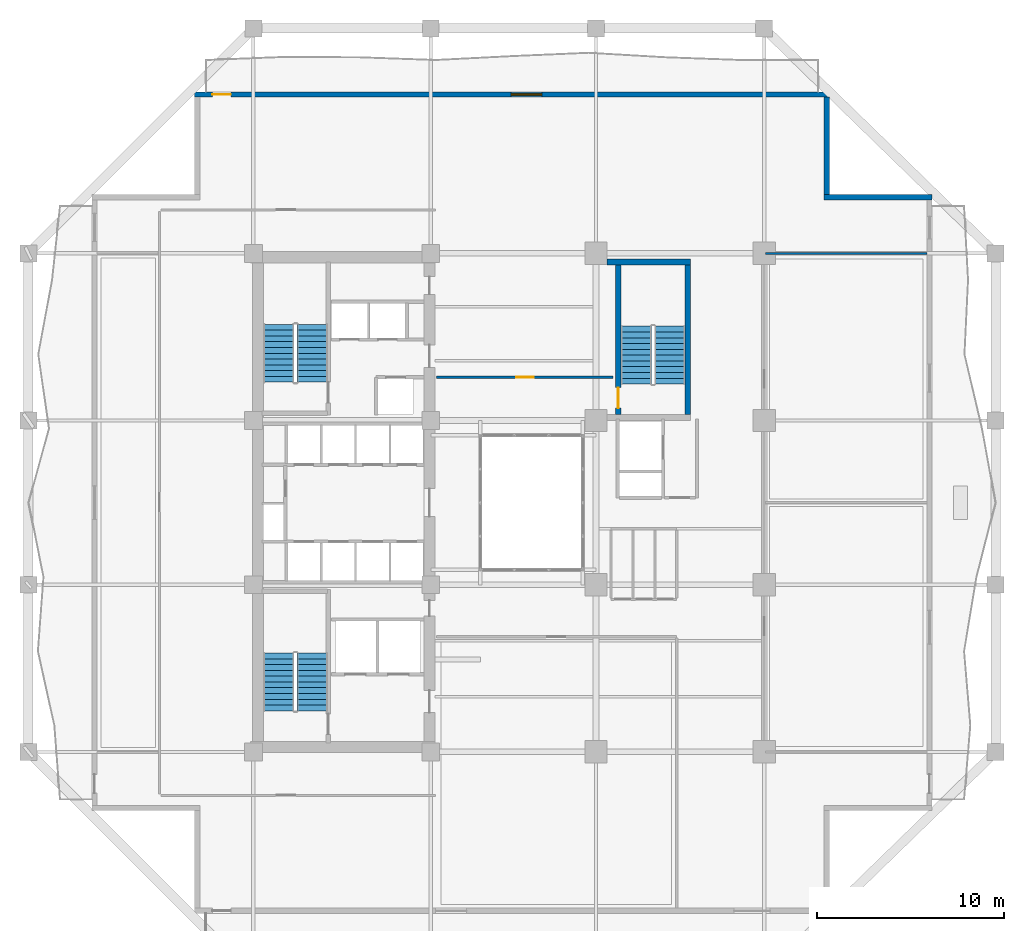
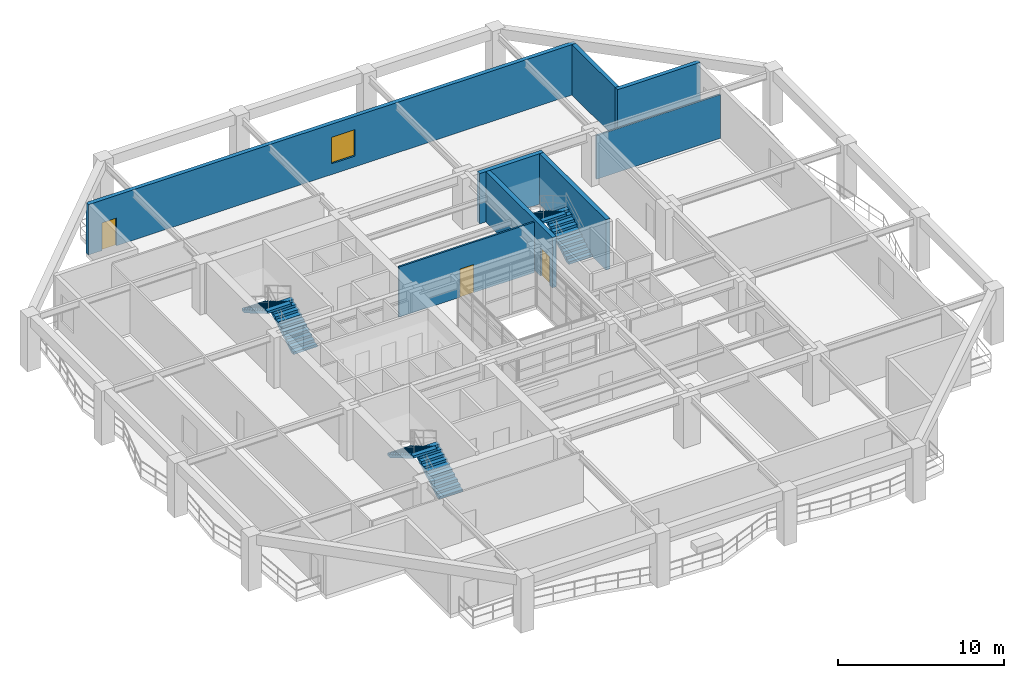
# One storey, part 9 of 17: 8 walls, 6 stair flights, 3 doors, 1 window, 4 openings, 3 elements without a shape of their own.
"""IFC4 building model written with IfcOpenShell, lengths in metres."""

from ifc_helpers import new_model, si_unit, direction, frame, frame_2d, origin, place, context, subcontext, project, spatial, polyline, rectangle, outline, extrude, material, layer, layer_set, type_object, element, fill, aggregate, save


model = new_model("IFC4")

# Units and contexts
model_context = context("Model", 3, precision=1e-05, world=origin(), true_north=direction((0.0, 1.0)))
body_context = subcontext(model_context, "Body", "Model", "MODEL_VIEW")
ifc_project = project(units=[si_unit("LENGTHUNIT", "METRE"), si_unit("AREAUNIT", "SQUARE_METRE"), si_unit("VOLUMEUNIT", "CUBIC_METRE"), si_unit("PLANEANGLEUNIT", "RADIAN"), si_unit("MASSUNIT", "GRAM", prefix="KILO")], contexts=[model_context])

# Site, building, storey
site_placement = place(None, origin())
site = spatial("IfcSite", under=ifc_project, at=site_placement, CompositionType="ELEMENT")
building_placement = place(site_placement, origin())
building = spatial("IfcBuilding", under=site, at=building_placement, Name="Kundavana Baori Tower", CompositionType="ELEMENT")
storey_placement = place(building_placement, frame((0.0, 0.0, 30.0)))
storey = spatial("IfcBuildingStorey", under=building, at=storey_placement, Name="L06", CompositionType="ELEMENT", Elevation=30.0)

# Walls
ifc_material_1 = material(Name="Red-Buff Dholpur Sandstone Cladding on Concrete C40/50", Category="masonry")
ifc_layer_1 = layer(ifc_material_1, 0.280029296875, Name="WL-EXT-SAND-280")
ifc_layer_set_1 = layer_set([ifc_layer_1], Name="Red-Buff Dholpur Sandstone Cladding on Concrete C40/50")
wall_type_1 = type_object("IfcWallType", Name="WL-EXT-SAND-280", PredefinedType="STANDARD", material=ifc_layer_set_1)
wall_1_placement = place(storey_placement, frame((51.800048828125, 44.9599609375, 0.0), z_axis=(0.0, 0.0, 1.0), x_axis=(-1.0, 0.0, 0.0)))
element("IfcWall", 1, at=wall_1_placement, inside=storey, type_object=wall_type_1, Name="L06 Exterior Insulated Facade Wall 05", PredefinedType="STANDARD", context=body_context, shape_type="SweptSolid", body=[
    extrude(rectangle(XDim=5.780029296875, YDim=0.280029296875, at=frame_2d((2.89013671875, 0.0))), origin(), (0.0, 0.0, 1.0), 3.719970703125),
])
wall_2_placement = place(storey_placement, frame((46.159912109375, 45.10009765625, 0.0), z_axis=(0.0, 0.0, 1.0), x_axis=(0.0, 1.0, 0.0)))
element("IfcWall", 2, at=wall_2_placement, inside=storey, type_object=wall_type_1, Name="L06 Exterior Insulated Facade Wall 06", PredefinedType="STANDARD", context=body_context, shape_type="SweptSolid", body=[
    extrude(rectangle(XDim=5.219970703125, YDim=0.280029296875, at=frame_2d((2.60986328125, 0.0))), origin(), (0.0, 0.0, 1.0), 3.719970703125),
])

# Wall, openings, door, window
wall_3_placement = place(storey_placement, frame((46.300048828125, 50.4599609375, 0.0), z_axis=(0.0, 0.0, 1.0), x_axis=(-1.0, 0.0, 0.0)))
wall_3 = element("IfcWall", 3, at=wall_3_placement, inside=storey, type_object=wall_type_1, Name="L06 Exterior Insulated Facade Wall 07", PredefinedType="STANDARD", context=body_context, shape_type="SweptSolid", body=[
    extrude(rectangle(XDim=34.0, YDim=0.280029296875, at=frame_2d((17.0, 0.0))), origin(), (0.0, 0.0, 1.0), 3.719970703125),
])
opening_1_placement = place(wall_3_placement, frame((32.050048828125, 0.0, 0.0)))
opening_1 = element("IfcOpeningElement", 4, at=opening_1_placement, cuts=wall_3, Name="Opening BD-1", PredefinedType="OPENING", context=body_context, shape_type="SweptSolid", body=[
    extrude(rectangle(XDim=1.0, YDim=2.050048828125, at=frame_2d((0.5, 1.02490234375))), frame((0.0, 0.14990234375, 0.0), z_axis=(0.0, -1.0, 0.0), x_axis=(1.0, 0.0, 0.0)), (0.0, 0.0, 1.0), 0.300048828125),
])
opening_2_placement = place(wall_3_placement, frame((15.39990234375, 0.0, 0.800048828125)))
opening_2 = element("IfcOpeningElement", 5, at=opening_2_placement, cuts=wall_3, Name="Opening W-08", PredefinedType="OPENING", context=body_context, shape_type="SweptSolid", body=[
    extrude(rectangle(XDim=1.64990234375, YDim=1.949951171875, at=frame_2d((0.824951171875, 0.97509765625))), frame((0.0, 0.14990234375, 0.0), z_axis=(0.0, -1.0, 0.0), x_axis=(1.0, 0.0, 0.0)), (0.0, 0.0, 1.0), 0.300048828125),
])
ifc_material_2 = material(Name="Architectural Patinated Bronze Metalwork")
door_type_1 = type_object("IfcDoorType", Name="DR-EXT-LOG-1000", OperationType="NOTDEFINED", PredefinedType="DOOR", material=ifc_material_2)
door_1_placement = place(opening_1_placement, frame((1.0, 0.0, 0.0), z_axis=(0.0, 0.0, 1.0), x_axis=(-1.0, 0.0, 0.0)))
door_1 = element("IfcDoor", 6, at=door_1_placement, inside=storey, type_object=door_type_1, Name="L06 Loggia Balcony Access Door N", OperationType="SINGLE_SWING_LEFT", OverallHeight=2.050048828125, OverallWidth=1.0, PredefinedType="DOOR", context=body_context, shape_type="SweptSolid", body=[
    extrude(rectangle(XDim=1.0, YDim=2.050048828125, at=frame_2d((0.5, 1.02490234375))), frame((0.0, 0.02490234375, 0.0), z_axis=(0.0, -1.0, 0.0), x_axis=(1.0, 0.0, 0.0)), (0.0, 0.0, 1.0), 0.050048828125),
])
fill(opening_1, door_1)
ifc_material_3 = material(Name="Double-Glazed Solar-Control Low-E Insulated Glass", Category="glass")
window_type = type_object("IfcWindowType", Name="WIN-LOG-1650x1950", PartitioningType="SINGLE_PANEL", PredefinedType="WINDOW", material=ifc_material_3)
window_placement = place(opening_2_placement, origin())
window = element("IfcWindow", 7, at=window_placement, inside=storey, type_object=window_type, Name="L06 Recessed Loggia Window N-1", OverallHeight=1.949951171875, OverallWidth=1.64990234375, PartitioningType="SINGLE_PANEL", PredefinedType="WINDOW", context=body_context, shape_type="SweptSolid", body=[
    extrude(rectangle(XDim=1.64990234375, YDim=1.949951171875, at=frame_2d((0.824951171875, 0.97509765625))), frame((0.0, 0.030029296875, 0.0), z_axis=(0.0, -1.0, 0.0), x_axis=(1.0, 0.0, 0.0)), (0.0, 0.0, 1.0), 0.06005859375),
])
fill(opening_2, window)

# Wall, opening, door
ifc_material_4 = material(Name="Acoustic Gypsum Plasterboard on Galvanised Steel Studs", Category="steel")
ifc_layer_2 = layer(ifc_material_4, 0.1201171875, Name="WL-PART-120")
ifc_layer_set_2 = layer_set([ifc_layer_2], Name="Acoustic Gypsum Plasterboard on Galvanised Steel Studs")
wall_type_2 = type_object("IfcWallType", Name="WL-PART-120", PredefinedType="PARTITIONING", material=ifc_layer_set_2)
wall_4_placement = place(storey_placement, frame((25.25, 35.320068359375, 0.0), z_axis=(0.0, 0.0, 1.0), x_axis=(1.0, 0.0, 0.0)))
wall_4 = element("IfcWall", 8, at=wall_4_placement, inside=storey, type_object=wall_type_2, Name="WL-L06-OFN", PredefinedType="PARTITIONING", context=body_context, shape_type="SweptSolid", body=[
    extrude(rectangle(XDim=9.469970703125, YDim=0.1201171875, at=frame_2d((4.73486328125, 0.0))), origin(), (0.0, 0.0, 1.0), 3.719970703125),
])
opening_3_placement = place(wall_4_placement, frame((4.264892578125, 0.0, 0.0)))
opening_3 = element("IfcOpeningElement", 9, at=opening_3_placement, cuts=wall_4, Name="Opening ID-095", PredefinedType="OPENING", context=body_context, shape_type="SweptSolid", body=[
    extrude(rectangle(XDim=0.949951171875, YDim=2.080078125, at=frame_2d((0.47509765625, 1.0400390625))), frame((0.0, 0.070068359375, 0.0), z_axis=(0.0, -1.0, 0.0), x_axis=(1.0, 0.0, 0.0)), (0.0, 0.0, 1.0), 0.14013671875),
])
ifc_material_5 = material(Name="Engineered Teak Solid-Core Timber Veneer", Category="wood")
door_type_2 = type_object("IfcDoorType", Name="DR-INT-950", OperationType="NOTDEFINED", PredefinedType="DOOR", material=ifc_material_5)
door_2_placement = place(opening_3_placement, origin())
door_2 = element("IfcDoor", 10, at=door_2_placement, inside=storey, type_object=door_type_2, Name="DR-L06-OFN1", OperationType="SINGLE_SWING_LEFT", OverallHeight=2.080078125, OverallWidth=0.949951171875, PredefinedType="DOOR", context=body_context, shape_type="SweptSolid", body=[
    extrude(rectangle(XDim=0.949951171875, YDim=2.080078125, at=frame_2d((0.47509765625, 1.0400390625))), frame((0.0, 0.02490234375, 0.0), z_axis=(0.0, -1.0, 0.0), x_axis=(1.0, 0.0, 0.0)), (0.0, 0.0, 1.0), 0.050048828125),
])
fill(opening_3, door_2)

# Walls
wall_5_placement = place(storey_placement, frame((42.8798828125, 41.949951171875, 0.0), z_axis=(0.0, 0.0, 1.0), x_axis=(1.0, 0.0, 0.0)))
element("IfcWall", 11, at=wall_5_placement, inside=storey, type_object=wall_type_2, Name="WL-L06-OFEN", PredefinedType="PARTITIONING", context=body_context, shape_type="SweptSolid", body=[
    extrude(rectangle(XDim=8.64013671875, YDim=0.1201171875, at=frame_2d((4.320068359375, 0.0))), origin(), (0.0, 0.0, 1.0), 3.219970703125),
])
ifc_material_6 = material(Name="Concrete C50/60", Category="concrete")
ifc_layer_3 = layer(ifc_material_6, 0.300048828125, Name="WL-ST3-300")
ifc_layer_set_3 = layer_set([ifc_layer_3], Name="Concrete C50/60")
wall_type_3 = type_object("IfcWallType", Name="WL-ST3-300", PredefinedType="SHEAR", material=ifc_layer_set_3)
wall_6_placement = place(storey_placement, frame((34.39990234375, 41.489990234375, 0.0), z_axis=(0.0, 0.0, 1.0), x_axis=(1.0, 0.0, 0.0)))
element("IfcWall", 12, at=wall_6_placement, inside=storey, type_object=wall_type_3, Name="L06 Stair ST3 North Shear Wall", PredefinedType="SHEAR", context=body_context, shape_type="SweptSolid", body=[
    extrude(rectangle(XDim=4.47021484375, YDim=0.300048828125, at=frame_2d((2.235107421875, 0.0))), origin(), (0.0, 0.0, 1.0), 3.719970703125),
])

# Wall, opening, door
wall_7_placement = place(storey_placement, frame((34.97998046875, 33.31005859375, 0.0), z_axis=(0.0, 0.0, 1.0), x_axis=(0.0, 1.0, 0.0)))
wall_7 = element("IfcWall", 13, at=wall_7_placement, inside=storey, type_object=wall_type_3, Name="L06 Stair ST3 West Shear Wall", PredefinedType="SHEAR", context=body_context, shape_type="SweptSolid", body=[
    extrude(rectangle(XDim=8.030029296875, YDim=0.300048828125, at=frame_2d((4.01513671875, 0.0))), origin(), (0.0, 0.0, 1.0), 3.719970703125),
])
opening_4_placement = place(wall_7_placement, frame((0.35009765625, 0.0, 0.0)))
opening_4 = element("IfcOpeningElement", 14, at=opening_4_placement, cuts=wall_7, Name="Opening FD-110", PredefinedType="OPENING", context=body_context, shape_type="SweptSolid", body=[
    extrude(rectangle(XDim=1.10009765625, YDim=2.10009765625, at=frame_2d((0.550048828125, 1.050048828125))), frame((0.0, 0.16015625, 0.0), z_axis=(0.0, -1.0, 0.0), x_axis=(1.0, 0.0, 0.0)), (0.0, 0.0, 1.0), 0.320068359375),
])
ifc_material_7 = material(Name="Galvanised Steel Fire-Rated Door Leaf", Category="steel")
door_type_3 = type_object("IfcDoorType", Name="DR-FD120-1100", OperationType="NOTDEFINED", PredefinedType="DOOR", material=ifc_material_7)
door_3_placement = place(opening_4_placement, origin())
door_3 = element("IfcDoor", 15, at=door_3_placement, inside=storey, type_object=door_type_3, Name="DR-L06-ST3-W", OperationType="SINGLE_SWING_LEFT", OverallHeight=2.10009765625, OverallWidth=1.10009765625, PredefinedType="DOOR", context=body_context, shape_type="SweptSolid", body=[
    extrude(rectangle(XDim=1.10009765625, YDim=2.10009765625, at=frame_2d((0.550048828125, 1.050048828125))), frame((0.0, 0.02490234375, 0.0), z_axis=(0.0, -1.0, 0.0), x_axis=(1.0, 0.0, 0.0)), (0.0, 0.0, 1.0), 0.050048828125),
])
fill(opening_4, door_3)

# Wall
wall_8_placement = place(storey_placement, frame((38.719970703125, 33.31005859375, 0.0), z_axis=(0.0, 0.0, 1.0), x_axis=(0.0, 1.0, 0.0)))
element("IfcWall", 16, at=wall_8_placement, inside=storey, type_object=wall_type_3, Name="L06 Stair ST3 East Shear Wall", PredefinedType="SHEAR", context=body_context, shape_type="SweptSolid", body=[
    extrude(rectangle(XDim=8.030029296875, YDim=0.300048828125, at=frame_2d((4.01513671875, 0.0))), origin(), (0.0, 0.0, 1.0), 3.719970703125),
])

# Stair, stair flights
ifc_material_8 = material(Name="Concrete C40/50", Category="concrete")
stair_type = type_object("IfcStairType", Name="STR-DOG-1650", PredefinedType="HALF_TURN_STAIR", material=ifc_material_8)
stair_1_placement = place(storey_placement, origin())
stair_1 = element("IfcStair", 17, at=stair_1_placement, inside=storey, type_object=stair_type, Name="L06 Protected Exit Stair ST1", PredefinedType="HALF_TURN_STAIR")
ifc_material_9 = material(Name="Concrete C40/50", Category="concrete")
stair_flight_type = type_object("IfcStairFlightType", Name="SFL-RC-1650", PredefinedType="STRAIGHT", material=ifc_material_9)
stair_flight_1_placement = place(storey_placement, frame((18.614990234375, 17.449951171875, 0.0), z_axis=(0.0, 0.0, 1.0), x_axis=(0.0, 1.0, 0.0)))
stair_flight_1 = element("IfcStairFlight", 18, at=stair_flight_1_placement, type_object=stair_flight_type, Name="ST1 flight 1", NumberOfRisers=11, NumberOfTreads=10, PredefinedType="STRAIGHT", RiserHeight=0.181818182, TreadLength=0.31, context=body_context, shape_type="SweptSolid", body=[
    extrude(outline(polyline([(0.0, 0.0), (0.0, 0.181884765625), (0.31005859375, 0.181884765625), (0.31005859375, 0.363525390625), (0.6201171875, 0.363525390625), (0.6201171875, 0.54541015625), (0.929931640625, 0.54541015625), (0.929931640625, 0.727294921875), (1.239990234375, 0.727294921875), (1.239990234375, 0.9091796875), (1.550048828125, 0.9091796875), (1.550048828125, 1.0908203125), (1.860107421875, 1.0908203125), (1.860107421875, 1.272705078125), (2.169921875, 1.272705078125), (2.169921875, 1.45458984375), (2.47998046875, 1.45458984375), (2.47998046875, 1.636474609375), (2.7900390625, 1.636474609375), (2.7900390625, 1.818115234375), (3.10009765625, 1.818115234375), (3.10009765625, 2.0), (3.10009765625, 1.644287109375), (0.29638671875, 0.0), (0.0, 0.0)])), frame((0.0, 0.824951171875, 0.0), z_axis=(0.0, -1.0, 0.0), x_axis=(1.0, 0.0, 0.0)), (0.0, 0.0, 1.0), 1.64990234375),
])
stair_flight_2_placement = place(storey_placement, frame((16.804931640625, 20.550048828125, 2.0), z_axis=(0.0, 0.0, 1.0), x_axis=(0.0, -1.0, 0.0)))
stair_flight_2 = element("IfcStairFlight", 19, at=stair_flight_2_placement, type_object=stair_flight_type, Name="ST1 flight 2", NumberOfRisers=11, NumberOfTreads=10, PredefinedType="STRAIGHT", RiserHeight=0.181818182, TreadLength=0.31, context=body_context, shape_type="SweptSolid", body=[
    extrude(outline(polyline([(0.0, 0.0), (0.0, 0.181884765625), (0.31005859375, 0.181884765625), (0.31005859375, 0.363525390625), (0.6201171875, 0.363525390625), (0.6201171875, 0.54541015625), (0.929931640625, 0.54541015625), (0.929931640625, 0.727294921875), (1.239990234375, 0.727294921875), (1.239990234375, 0.9091796875), (1.550048828125, 0.9091796875), (1.550048828125, 1.0908203125), (1.860107421875, 1.0908203125), (1.860107421875, 1.272705078125), (2.169921875, 1.272705078125), (2.169921875, 1.45458984375), (2.47998046875, 1.45458984375), (2.47998046875, 1.636474609375), (2.7900390625, 1.636474609375), (2.7900390625, 1.818115234375), (3.10009765625, 1.818115234375), (3.10009765625, 2.0), (3.10009765625, 1.644287109375), (0.29638671875, 0.0), (0.0, 0.0)])), frame((0.0, 0.824951171875, 0.0), z_axis=(0.0, -1.0, 0.0), x_axis=(1.0, 0.0, 0.0)), (0.0, 0.0, 1.0), 1.64990234375),
])
aggregate(stair_1, [stair_flight_1, stair_flight_2])

stair_2_placement = place(storey_placement, origin())
stair_2 = element("IfcStair", 20, at=stair_2_placement, inside=storey, type_object=stair_type, Name="L06 Protected Exit Stair ST2", PredefinedType="HALF_TURN_STAIR")
stair_flight_3_placement = place(storey_placement, frame((18.614990234375, 35.050048828125, 0.0), z_axis=(0.0, 0.0, 1.0), x_axis=(0.0, 1.0, 0.0)))
stair_flight_3 = element("IfcStairFlight", 21, at=stair_flight_3_placement, type_object=stair_flight_type, Name="ST2 flight 1", NumberOfRisers=11, NumberOfTreads=10, PredefinedType="STRAIGHT", RiserHeight=0.181818182, TreadLength=0.31, context=body_context, shape_type="SweptSolid", body=[
    extrude(outline(polyline([(0.0, 0.0), (0.0, 0.181884765625), (0.31005859375, 0.181884765625), (0.31005859375, 0.363525390625), (0.6201171875, 0.363525390625), (0.6201171875, 0.54541015625), (0.929931640625, 0.54541015625), (0.929931640625, 0.727294921875), (1.239990234375, 0.727294921875), (1.239990234375, 0.9091796875), (1.550048828125, 0.9091796875), (1.550048828125, 1.0908203125), (1.860107421875, 1.0908203125), (1.860107421875, 1.272705078125), (2.169921875, 1.272705078125), (2.169921875, 1.45458984375), (2.47998046875, 1.45458984375), (2.47998046875, 1.636474609375), (2.7900390625, 1.636474609375), (2.7900390625, 1.818115234375), (3.10009765625, 1.818115234375), (3.10009765625, 2.0), (3.10009765625, 1.644287109375), (0.29638671875, 0.0), (0.0, 0.0)])), frame((0.0, 0.824951171875, 0.0), z_axis=(0.0, -1.0, 0.0), x_axis=(1.0, 0.0, 0.0)), (0.0, 0.0, 1.0), 1.64990234375),
])
stair_flight_4_placement = place(storey_placement, frame((16.804931640625, 38.14990234375, 2.0), z_axis=(0.0, 0.0, 1.0), x_axis=(0.0, -1.0, 0.0)))
stair_flight_4 = element("IfcStairFlight", 22, at=stair_flight_4_placement, type_object=stair_flight_type, Name="ST2 flight 2", NumberOfRisers=11, NumberOfTreads=10, PredefinedType="STRAIGHT", RiserHeight=0.181818182, TreadLength=0.31, context=body_context, shape_type="SweptSolid", body=[
    extrude(outline(polyline([(0.0, 0.0), (0.0, 0.181884765625), (0.31005859375, 0.181884765625), (0.31005859375, 0.363525390625), (0.6201171875, 0.363525390625), (0.6201171875, 0.54541015625), (0.929931640625, 0.54541015625), (0.929931640625, 0.727294921875), (1.239990234375, 0.727294921875), (1.239990234375, 0.9091796875), (1.550048828125, 0.9091796875), (1.550048828125, 1.0908203125), (1.860107421875, 1.0908203125), (1.860107421875, 1.272705078125), (2.169921875, 1.272705078125), (2.169921875, 1.45458984375), (2.47998046875, 1.45458984375), (2.47998046875, 1.636474609375), (2.7900390625, 1.636474609375), (2.7900390625, 1.818115234375), (3.10009765625, 1.818115234375), (3.10009765625, 2.0), (3.10009765625, 1.644287109375), (0.29638671875, 0.0), (0.0, 0.0)])), frame((0.0, 0.824951171875, 0.0), z_axis=(0.0, -1.0, 0.0), x_axis=(1.0, 0.0, 0.0)), (0.0, 0.0, 1.0), 1.64990234375),
])
aggregate(stair_2, [stair_flight_3, stair_flight_4])

stair_3_placement = place(storey_placement, origin())
stair_3 = element("IfcStair", 23, at=stair_3_placement, inside=storey, type_object=stair_type, Name="L06 Protected Exit Stair ST3", PredefinedType="HALF_TURN_STAIR")
stair_flight_5_placement = place(storey_placement, frame((37.7548828125, 34.949951171875, 0.0), z_axis=(0.0, 0.0, 1.0), x_axis=(0.0, 1.0, 0.0)))
stair_flight_5 = element("IfcStairFlight", 24, at=stair_flight_5_placement, type_object=stair_flight_type, Name="ST3 flight 1", NumberOfRisers=11, NumberOfTreads=10, PredefinedType="STRAIGHT", RiserHeight=0.181818182, TreadLength=0.31, context=body_context, shape_type="SweptSolid", body=[
    extrude(outline(polyline([(0.0, 0.0), (0.0, 0.181884765625), (0.31005859375, 0.181884765625), (0.31005859375, 0.363525390625), (0.6201171875, 0.363525390625), (0.6201171875, 0.54541015625), (0.929931640625, 0.54541015625), (0.929931640625, 0.727294921875), (1.239990234375, 0.727294921875), (1.239990234375, 0.9091796875), (1.550048828125, 0.9091796875), (1.550048828125, 1.0908203125), (1.860107421875, 1.0908203125), (1.860107421875, 1.272705078125), (2.169921875, 1.272705078125), (2.169921875, 1.45458984375), (2.47998046875, 1.45458984375), (2.47998046875, 1.636474609375), (2.7900390625, 1.636474609375), (2.7900390625, 1.818115234375), (3.10009765625, 1.818115234375), (3.10009765625, 2.0), (3.10009765625, 1.644287109375), (0.29638671875, 0.0), (0.0, 0.0)])), frame((0.0, 0.824951171875, 0.0), z_axis=(0.0, -1.0, 0.0), x_axis=(1.0, 0.0, 0.0)), (0.0, 0.0, 1.0), 1.64990234375),
])
stair_flight_6_placement = place(storey_placement, frame((35.945068359375, 38.050048828125, 2.0), z_axis=(0.0, 0.0, 1.0), x_axis=(0.0, -1.0, 0.0)))
stair_flight_6 = element("IfcStairFlight", 25, at=stair_flight_6_placement, type_object=stair_flight_type, Name="ST3 flight 2", NumberOfRisers=11, NumberOfTreads=10, PredefinedType="STRAIGHT", RiserHeight=0.181818182, TreadLength=0.31, context=body_context, shape_type="SweptSolid", body=[
    extrude(outline(polyline([(0.0, 0.0), (0.0, 0.181884765625), (0.31005859375, 0.181884765625), (0.31005859375, 0.363525390625), (0.6201171875, 0.363525390625), (0.6201171875, 0.54541015625), (0.929931640625, 0.54541015625), (0.929931640625, 0.727294921875), (1.239990234375, 0.727294921875), (1.239990234375, 0.9091796875), (1.550048828125, 0.9091796875), (1.550048828125, 1.0908203125), (1.860107421875, 1.0908203125), (1.860107421875, 1.272705078125), (2.169921875, 1.272705078125), (2.169921875, 1.45458984375), (2.47998046875, 1.45458984375), (2.47998046875, 1.636474609375), (2.7900390625, 1.636474609375), (2.7900390625, 1.818115234375), (3.10009765625, 1.818115234375), (3.10009765625, 2.0), (3.10009765625, 1.644287109375), (0.29638671875, 0.0), (0.0, 0.0)])), frame((0.0, 0.824951171875, 0.0), z_axis=(0.0, -1.0, 0.0), x_axis=(1.0, 0.0, 0.0)), (0.0, 0.0, 1.0), 1.64990234375),
])
aggregate(stair_3, [stair_flight_5, stair_flight_6])

save(model, "model.ifc")
